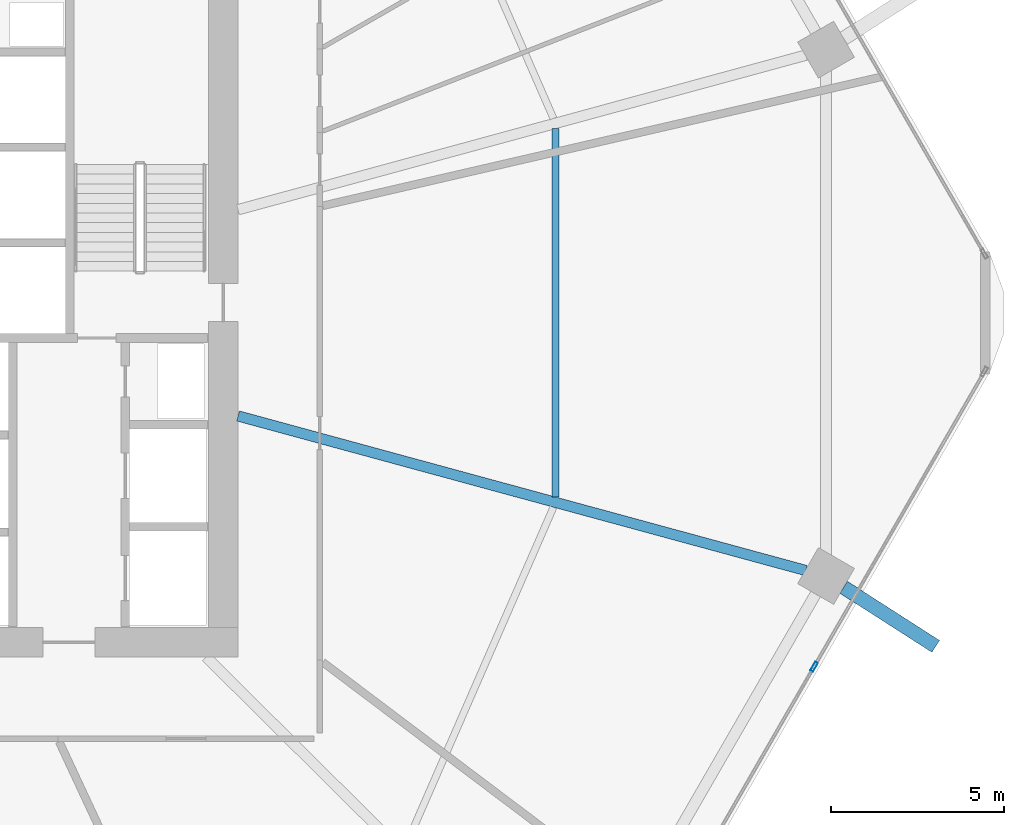
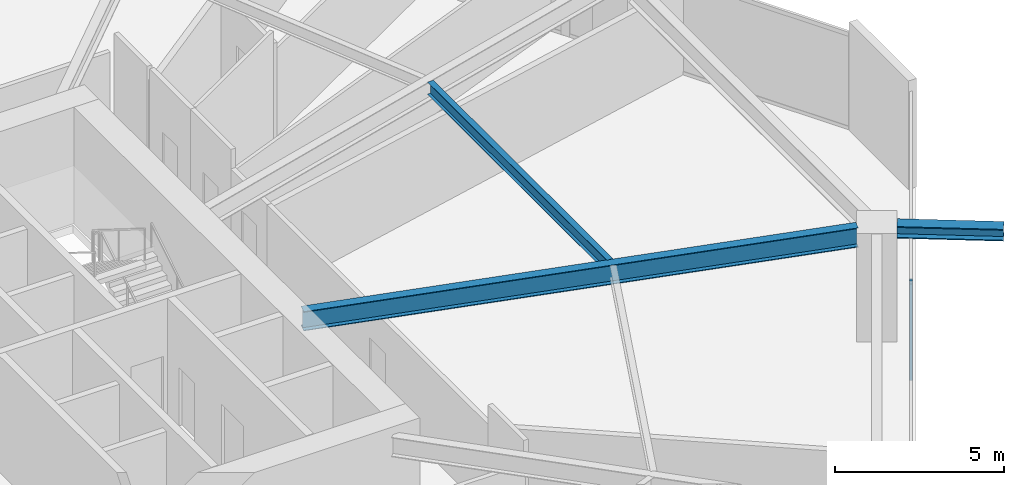
# One storey, part 11 of 25: 3 beams, 1 member, 1 element without a shape of its own.
"""IFC4 building model written with IfcOpenShell, lengths in metres."""

import ifcopenshell
import ifcopenshell.guid

model = None  # the IFC model being written
_history = None  # IfcOwnerHistory: only IFC2X3 demands one
_inside = {}  # id of a spatial element -> (the spatial element, [elements in it])
_under = {}  # id of a project, library or spatial element -> (it, [spatial elements below it])
_declared = {}  # id of a project -> (the project, [libraries it declares])
_typed = {}  # id of a type object -> (the type object, [elements of that type])
_made_of = {}  # id of a material, layer set ... -> (it, [elements and type objects made of it])


def new_model(schema):
    """Start an empty IFC model of exactly this schema.

    Asked for "IFC4X3", IfcOpenShell would pick the latest addendum, in which some entities
    have other attributes; the version numbers below select the first issue.
    IFC2X3 requires an IfcOwnerHistory on every rooted entity: one is made here for all.
    """
    global model, _history
    if schema == "IFC4X3":
        model = ifcopenshell.file(schema_version=(4, 3, 0, 0))
    else:
        model = ifcopenshell.file(schema=schema)
    _inside.clear()
    _under.clear()
    _declared.clear()
    _typed.clear()
    _made_of.clear()
    _history = None
    if model.schema == "IFC2X3":
        org = make("IfcOrganization", Name="unknown")
        user = make(
            "IfcPersonAndOrganization",
            ThePerson=make("IfcPerson", FamilyName="unknown"),
            TheOrganization=org,
        )
        app = make(
            "IfcApplication",
            ApplicationDeveloper=org,
            Version="unknown",
            ApplicationFullName="unknown",
            ApplicationIdentifier="unknown",
        )
        _history = make(
            "IfcOwnerHistory",
            OwningUser=user,
            OwningApplication=app,
            ChangeAction="ADDED",
            CreationDate=0,
        )
    return model


def make(cls, **values):
    """One entity of the class cls with the attributes given. An attribute that is None is left unset."""
    return model.create_entity(
        cls, **{name: value for name, value in values.items() if value is not None}
    )


def rooted(cls, **values):
    """An entity with a GlobalId (a new one), such as an element, a storey or a relation."""
    return make(cls, GlobalId=ifcopenshell.guid.new(), OwnerHistory=_history, **values)


def si_unit(unit_type, name, prefix=None):
    """IfcSIUnit, for example si_unit("LENGTHUNIT", "METRE", prefix="MILLI")."""
    return make("IfcSIUnit", UnitType=unit_type, Prefix=prefix, Name=name)


def assignment(units):
    """IfcUnitAssignment: the units of a project."""
    return None if units is None else make("IfcUnitAssignment", Units=units)


def point(xyz):
    """IfcCartesianPoint."""
    return None if xyz is None else make("IfcCartesianPoint", Coordinates=xyz)


def direction(xyz):
    """IfcDirection."""
    return None if xyz is None else make("IfcDirection", DirectionRatios=xyz)


def frame(location, z_axis=None, x_axis=None):
    """IfcAxis2Placement3D, a coordinate frame: its origin and axes. An axis left out is left unset."""
    return make(
        "IfcAxis2Placement3D",
        Location=point(location),
        Axis=direction(z_axis),
        RefDirection=direction(x_axis),
    )


def frame_2d(location, x_axis=None):
    """IfcAxis2Placement2D, a coordinate frame in the plane: its origin and x axis."""
    return make(
        "IfcAxis2Placement2D", Location=point(location), RefDirection=direction(x_axis)
    )


def origin():
    """The frame at (0, 0, 0) with its axes left unset."""
    return frame((0.0, 0.0, 0.0))


def origin_2d():
    """The frame at (0, 0) in the plane with its x axis left unset."""
    return frame_2d((0.0, 0.0))


def place(relative_to, where):
    """IfcLocalPlacement: puts the frame where relative to a parent placement (None: the world)."""
    return make(
        "IfcLocalPlacement", PlacementRelTo=relative_to, RelativePlacement=where
    )


def context(
    kind, dimensions, precision=None, world=None, true_north=None, identifier=None
):
    """IfcGeometricRepresentationContext, for example the 3D "Model" context."""
    return make(
        "IfcGeometricRepresentationContext",
        ContextIdentifier=identifier,
        ContextType=kind,
        CoordinateSpaceDimension=dimensions,
        Precision=precision,
        WorldCoordinateSystem=world,
        TrueNorth=true_north,
    )


def subcontext(parent, identifier, kind, view, scale=None):
    """IfcGeometricRepresentationSubContext, for example "Body" below "Model"."""
    return make(
        "IfcGeometricRepresentationSubContext",
        ContextIdentifier=identifier,
        ContextType=kind,
        ParentContext=parent,
        TargetScale=scale,
        TargetView=view,
    )


def project(units=None, contexts=None):
    """IfcProject with its units and contexts."""
    return rooted(
        "IfcProject",
        Name="project",
        RepresentationContexts=contexts,
        UnitsInContext=assignment(units),
    )


def spatial(cls, under=None, at=None, **own):
    """A site, building, storey or space (cls), placed at a placement, below another one or the project."""
    s = rooted(cls, ObjectPlacement=at, **own)
    if under is not None:
        _under.setdefault(under.id(), (under, []))[1].append(s)
    return s


def profile(cls, at=None, kind="AREA", **sizes):
    """A parametric profile (cls). Its sizes go by their IFC names, for example OverallWidth=200.0."""
    return make(cls, ProfileType=kind, Position=at, **sizes)


def hollow_rectangle(**sizes):
    """IfcRectangleHollowProfileDef."""
    return profile("IfcRectangleHollowProfileDef", **sizes)


def i_section(**sizes):
    """IfcIShapeProfileDef."""
    return profile("IfcIShapeProfileDef", **sizes)


def extrude(swept, where, along, depth):
    """IfcExtrudedAreaSolid: the profile swept, set in the frame where, extruded along a direction by depth."""
    return make(
        "IfcExtrudedAreaSolid",
        SweptArea=swept,
        Position=where,
        ExtrudedDirection=direction(along),
        Depth=depth,
    )


def shape(context_of_items, identifier, shape_type, items):
    """IfcShapeRepresentation: the items that make up one representation, for example the "Body"."""
    return make(
        "IfcShapeRepresentation",
        ContextOfItems=context_of_items,
        RepresentationIdentifier=identifier,
        RepresentationType=shape_type,
        Items=items,
    )


def material(Name=None, Category=None):
    """IfcMaterial."""
    return make("IfcMaterial", Name=Name, Category=Category)


def material_profile(
    of_material, cross_section, Name=None, Category=None, Priority=None
):
    """IfcMaterialProfile: a cross section and its material."""
    return make(
        "IfcMaterialProfile",
        Name=Name,
        Material=of_material,
        Profile=cross_section,
        Priority=Priority,
        Category=Category,
    )


def profile_set(profiles, Name=None, composite=None):
    """IfcMaterialProfileSet."""
    return make(
        "IfcMaterialProfileSet",
        Name=Name,
        MaterialProfiles=profiles,
        CompositeProfile=composite,
    )


def made_of(thing, what):
    """Note that an element or type object is made of a material, layer set ...; save() writes the relation."""
    if what is not None:
        _made_of.setdefault(what.id(), (what, []))[1].append(thing)
    return thing


def type_object(cls, material=None, **own):
    """A type object (cls), such as IfcWallType, which elements share."""
    return made_of(rooted(cls, **own), material)


def element(
    cls,
    number,
    at=None,
    inside=None,
    cuts=None,
    type_object=None,
    material=None,
    context=None,
    identifier="Body",
    shape_type=None,
    held_by="IfcProductDefinitionShape",
    body=None,
    shapes=None,
    **own,
):
    """One element of the class cls, such as IfcWall. Its Tag is "e" and its number.

    at: its placement. inside: the storey or other place that contains it. cuts: it is an
    opening in that element (IfcRelVoidsElement). A single representation is given by context,
    identifier, shape_type and body (its items); several are given by shapes. held_by: the class
    of the entity that holds the representations. save() writes the other relations.
    """
    e = rooted(cls, Tag="e%d" % number, ObjectPlacement=at, **own)
    if body is not None:
        shapes = [shape(context, identifier, shape_type, body)]
    if shapes is not None:
        e.Representation = make(held_by, Representations=shapes)
    if inside is not None:
        _inside.setdefault(inside.id(), (inside, []))[1].append(e)
    if cuts is not None:
        rooted(
            "IfcRelVoidsElement", RelatingBuildingElement=cuts, RelatedOpeningElement=e
        )
    if type_object is not None:
        _typed.setdefault(type_object.id(), (type_object, []))[1].append(e)
    return made_of(e, material)


def aggregate(whole, parts):
    """IfcRelAggregates: a whole, such as a stair, and the parts it consists of."""
    return rooted("IfcRelAggregates", RelatingObject=whole, RelatedObjects=parts)


def save(model, path):
    """Write the relations noted so far, then the file.

    IfcRelAggregates (storeys below a building ...), IfcRelContainedInSpatialStructure (elements
    in a storey), IfcRelDefinesByType, IfcRelAssociatesMaterial and IfcRelDeclares: one each for
    every whole, place, type object, material and project.
    """
    for whole, parts in _under.values():
        aggregate(whole, parts)
    for where, things in _inside.values():
        rooted(
            "IfcRelContainedInSpatialStructure",
            RelatedElements=things,
            RelatingStructure=where,
        )
    for kind, things in _typed.values():
        rooted("IfcRelDefinesByType", RelatedObjects=things, RelatingType=kind)
    for what, things in _made_of.values():
        rooted("IfcRelAssociatesMaterial", RelatedObjects=things, RelatingMaterial=what)
    for by, libraries in _declared.values():
        rooted("IfcRelDeclares", RelatingContext=by, RelatedDefinitions=libraries)
    model.write(path)


model = new_model("IFC4")

# Units and contexts
model_context = context("Model", 3, precision=1e-05, world=origin(), true_north=direction((0.0, 1.0)))
body_context = subcontext(model_context, "Body", "Model", "MODEL_VIEW")
ifc_project = project(units=[si_unit("LENGTHUNIT", "METRE"), si_unit("AREAUNIT", "SQUARE_METRE"), si_unit("VOLUMEUNIT", "CUBIC_METRE"), si_unit("PLANEANGLEUNIT", "RADIAN"), si_unit("MASSUNIT", "GRAM", prefix="KILO")], contexts=[model_context])

# Site, building, storey
site_placement = place(None, origin())
site = spatial("IfcSite", under=ifc_project, at=site_placement, CompositionType="ELEMENT")
building_placement = place(site_placement, origin())
building = spatial("IfcBuilding", under=site, at=building_placement, Name="Zuhravey Tower", CompositionType="ELEMENT")
storey_placement = place(building_placement, frame((0.0, 0.0, 45.60009765625)))
storey = spatial("IfcBuildingStorey", under=building, at=storey_placement, Name="L11", CompositionType="ELEMENT", Elevation=45.60009765625)

# Curtain wall, member
ifc_material_1 = material(Name="Thermally broken anodised aluminium", Category="aluminium")
curtain_wall_type = type_object("IfcCurtainWallType", Name="School Low-E Unitised Curtain Wall CW1", PredefinedType="NOTDEFINED", material=ifc_material_1)
curtain_wall_placement = place(storey_placement, origin())
curtain_wall = element("IfcCurtainWall", 1, at=curtain_wall_placement, inside=storey, type_object=curtain_wall_type, Name="L11 CW1 CW-L11-F6-1", PredefinedType="NOTDEFINED")
ifc_material_2 = material(Name="Anodised aluminium", Category="aluminium")
ifc_material_profile_1 = material_profile(ifc_material_2, hollow_rectangle(XDim=0.090087890625, YDim=0.284912109375, WallThickness=0.0048828125, at=origin_2d()), Name="ALU-RHS-90x285x5")
ifc_profile_set_1 = profile_set([ifc_material_profile_1], Name="Anodised aluminium")
member_type = type_object("IfcMemberType", Name="Curtain-Wall Mullion 90x180", PredefinedType="MULLION", material=ifc_profile_set_1)
member_placement = place(storey_placement, frame((63.54541015625, 21.79296875, 0.0), z_axis=(0.0, 0.0, 1.0), x_axis=(0.86602552265, -0.499999794119, 0.0)))
member = element("IfcMember", 2, at=member_placement, type_object=member_type, Name="CW1 mullion 2", PredefinedType="MULLION", context=body_context, shape_type="SweptSolid", body=[
    extrude(hollow_rectangle(XDim=0.090087890625, YDim=0.284912109375, WallThickness=0.0048828125, at=origin_2d()), origin(), (0.0, 0.0, 1.0), 3.491943359375),
])
aggregate(curtain_wall, [member])

# Beams
ifc_material_3 = material(Name="Steel SM460", Category="steel")
ifc_material_profile_2 = material_profile(ifc_material_3, i_section(OverallWidth=0.406982421875, OverallDepth=0.427978515625, WebThickness=0.02001953125, FlangeThickness=0.034912109375, at=origin_2d()), Name="H-428x407x20x35")
ifc_profile_set_2 = profile_set([ifc_material_profile_2], Name="Steel SM460")
beam_type_1 = type_object("IfcBeamType", Name="Exoskeleton Node Tie Beam H428x407", PredefinedType="BEAM", material=ifc_profile_set_2)
beam_1_placement = place(storey_placement, frame((64.39794921875, 24.08203125, 3.705810546875), z_axis=(0.841731244747, -0.539896760147, 0.0), x_axis=(0.539896760147, 0.841731244747, 0.0)))
element("IfcBeam", 3, at=beam_1_placement, inside=storey, type_object=beam_type_1, Name="L11 Exoskeleton Node Tie NT1-12", PredefinedType="BEAM", context=body_context, shape_type="SweptSolid", body=[
    extrude(i_section(OverallWidth=0.406982421875, OverallDepth=0.427978515625, WebThickness=0.02001953125, FlangeThickness=0.034912109375, at=origin_2d()), origin(), (0.0, 0.0, 1.0), 3.154541015625),
])
ifc_material_4 = material(Name="Steel SM355", Category="steel")
ifc_material_profile_3 = material_profile(ifc_material_4, i_section(OverallWidth=0.300048828125, OverallDepth=0.699951171875, WebThickness=0.012939453125, FlangeThickness=0.02392578125, at=origin_2d()), Name="H-700x300x13x24")
ifc_profile_set_3 = profile_set([ifc_material_profile_3], Name="Steel SM355")
beam_type_2 = type_object("IfcBeamType", Name="Radial Primary Girder H700x300", PredefinedType="BEAM", material=ifc_profile_set_3)
beam_2_placement = place(storey_placement, frame((46.927978515625, 29.025390625, 3.56982421875), z_axis=(0.964892480455, -0.26264520015, 0.0), x_axis=(0.26264520015, 0.964892480455, 0.0)))
element("IfcBeam", 4, at=beam_2_placement, inside=storey, type_object=beam_type_2, Name="L11 RG1 BM-L11-RAD-12", PredefinedType="BEAM", context=body_context, shape_type="SweptSolid", body=[
    extrude(i_section(OverallWidth=0.300048828125, OverallDepth=0.699951171875, WebThickness=0.012939453125, FlangeThickness=0.02392578125, at=origin_2d()), origin(), (0.0, 0.0, 1.0), 16.975341796875),
])
ifc_material_profile_4 = material_profile(ifc_material_4, i_section(OverallWidth=0.199951171875, OverallDepth=0.449951171875, WebThickness=0.009033203125, FlangeThickness=0.013916015625, at=origin_2d()), Name="H-450x200x9x14")
ifc_profile_set_4 = profile_set([ifc_material_profile_4], Name="Steel SM355")
beam_type_3 = type_object("IfcBeamType", Name="Secondary Floor Joist H450x200", PredefinedType="JOIST", material=ifc_profile_set_4)
beam_3_placement = place(storey_placement, frame((56.0869140625, 26.686279296875, 3.69482421875), z_axis=(0.0, 1.0, 0.0), x_axis=(-1.0, 0.0, 0.0)))
element("IfcBeam", 5, at=beam_3_placement, inside=storey, type_object=beam_type_3, Name="L11 SJ1 BM-L11-SJ-12-1", PredefinedType="JOIST", context=body_context, shape_type="SweptSolid", body=[
    extrude(i_section(OverallWidth=0.199951171875, OverallDepth=0.449951171875, WebThickness=0.009033203125, FlangeThickness=0.013916015625, at=origin_2d()), origin(), (0.0, 0.0, 1.0), 10.62744140625),
])

save(model, "model.ifc")
